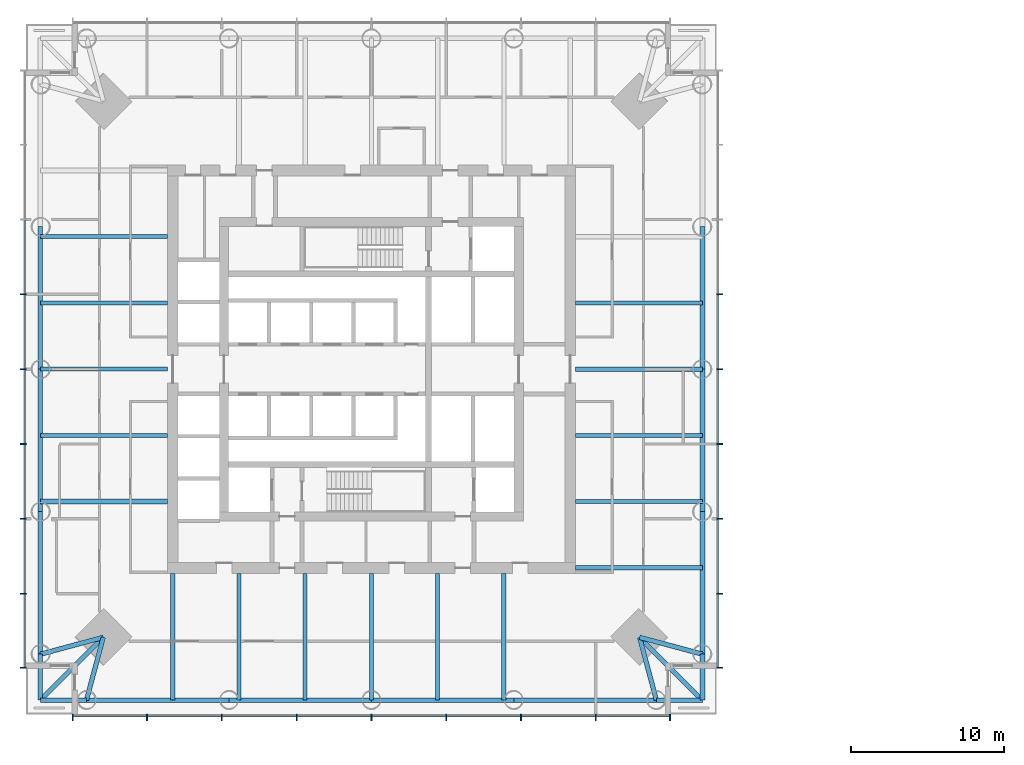
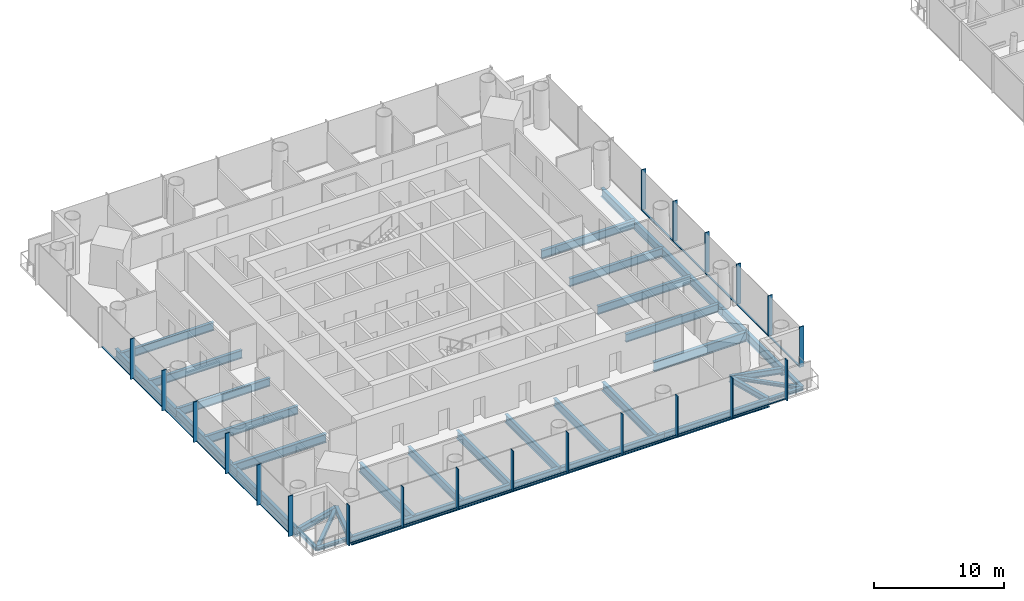
# One storey, part 2 of 18: 40 members, 36 beams, 3 elements without a shape of their own.
"""IFC4 building model written with IfcOpenShell, lengths in metres."""

from ifc_helpers import new_model, si_unit, direction, frame, origin, origin_2d, place, context, subcontext, project, spatial, rectangle, i_section, extrude, material, material_profile, profile_set, type_object, element, aggregate, save


model = new_model("IFC4")

# Units and contexts
model_context = context("Model", 3, precision=1e-05, world=origin(), true_north=direction((0.0, 1.0)))
body_context = subcontext(model_context, "Body", "Model", "MODEL_VIEW")
ifc_project = project(units=[si_unit("LENGTHUNIT", "METRE"), si_unit("AREAUNIT", "SQUARE_METRE"), si_unit("VOLUMEUNIT", "CUBIC_METRE"), si_unit("PLANEANGLEUNIT", "RADIAN"), si_unit("MASSUNIT", "GRAM", prefix="KILO")], contexts=[model_context])

# Site, building, storey
site_placement = place(None, origin())
site = spatial("IfcSite", under=ifc_project, at=site_placement, CompositionType="ELEMENT")
building_placement = place(site_placement, origin())
building = spatial("IfcBuilding", under=site, at=building_placement, Name="Ostroluk Exchange", CompositionType="ELEMENT")
storey_placement = place(building_placement, frame((0.0, 0.0, 97.0)))
storey = spatial("IfcBuildingStorey", under=building, at=storey_placement, Name="L24", CompositionType="ELEMENT", Elevation=97.0)

# Beams
ifc_material_1 = material(Name="Steel S355", Category="steel")
ifc_material_profile_1 = material_profile(ifc_material_1, i_section(OverallWidth=0.300048828125, OverallDepth=0.300048828125, WebThickness=0.010986328125, FlangeThickness=0.01904296875, FilletRadius=0.027099609375, at=origin_2d()), Name="HEB 300")
ifc_profile_set_1 = profile_set([ifc_material_profile_1], Name="Steel S355")
beam_type_1 = type_object("IfcBeamType", Name="Balcony beam HEB 300", PredefinedType="BEAM", material=ifc_profile_set_1)
for number, where, z_axis, x_axis, name in (
    (1, (23.428466796875, 27.428466796875, -0.330078125), (0.0, -1.0, 0.0), (1.0, 0.0, 0.0), "T1 west balcony beam a"),
    (2, (26.428466796875, 24.428466796875, -0.330078125), (-1.0, 0.0, 0.0), (0.0, -1.0, 0.0), "T1 west balcony beam b"),
):
    element("IfcBeam", number, at=place(storey_placement, frame(where, z_axis=z_axis, x_axis=x_axis)), inside=storey, type_object=beam_type_1, Name=name, PredefinedType="BEAM", context=body_context, shape_type="SweptSolid", body=[
        extrude(i_section(OverallWidth=0.300048828125, OverallDepth=0.300048828125, WebThickness=0.010986328125, FlangeThickness=0.01904296875, FilletRadius=0.027099609375, at=origin_2d()), origin(), (0.0, 0.0, 1.0), 3.0),
    ])
beam_1_placement = place(storey_placement, frame((27.528564453125, 28.528564453125, -0.330078125), z_axis=(-0.707106781187, -0.707106781187, 0.0), x_axis=(0.707106781187, -0.707106781187, 0.0)))
element("IfcBeam", 3, at=beam_1_placement, inside=storey, type_object=beam_type_1, Name="T1 west balcony beam c", PredefinedType="BEAM", context=body_context, shape_type="SweptSolid", body=[
    extrude(i_section(OverallWidth=0.300048828125, OverallDepth=0.300048828125, WebThickness=0.010986328125, FlangeThickness=0.01904296875, FilletRadius=0.027099609375, at=origin_2d()), origin(), (0.0, 0.0, 1.0), 5.79833984375),
])
for number, where, z_axis, x_axis, name in (
    (4, (63.571533203125, 24.428466796875, -0.330078125), (1.0, 0.0, 0.0), (0.0, 1.0, 0.0), "T1 south balcony beam a"),
    (5, (66.571533203125, 27.428466796875, -0.330078125), (0.0, -1.0, 0.0), (1.0, 0.0, 0.0), "T1 south balcony beam b"),
):
    element("IfcBeam", number, at=place(storey_placement, frame(where, z_axis=z_axis, x_axis=x_axis)), inside=storey, type_object=beam_type_1, Name=name, PredefinedType="BEAM", context=body_context, shape_type="SweptSolid", body=[
        extrude(i_section(OverallWidth=0.300048828125, OverallDepth=0.300048828125, WebThickness=0.010986328125, FlangeThickness=0.01904296875, FilletRadius=0.027099609375, at=origin_2d()), origin(), (0.0, 0.0, 1.0), 3.0),
    ])
beam_2_placement = place(storey_placement, frame((62.471435546875, 28.528564453125, -0.330078125), z_axis=(0.707106781187, -0.707106781187, 0.0), x_axis=(0.707106781187, 0.707106781187, 0.0)))
element("IfcBeam", 6, at=beam_2_placement, inside=storey, type_object=beam_type_1, Name="T1 south balcony beam c", PredefinedType="BEAM", context=body_context, shape_type="SweptSolid", body=[
    extrude(i_section(OverallWidth=0.300048828125, OverallDepth=0.300048828125, WebThickness=0.010986328125, FlangeThickness=0.01904296875, FilletRadius=0.027099609375, at=origin_2d()), origin(), (0.0, 0.0, 1.0), 5.79833984375),
])
ifc_material_2 = material(Name="Steel S355", Category="steel")
ifc_material_profile_2 = material_profile(ifc_material_2, i_section(OverallWidth=0.300048828125, OverallDepth=0.550048828125, WebThickness=0.014892578125, FlangeThickness=0.029052734375, FilletRadius=0.027099609375, at=origin_2d()), Name="HEB 550")
ifc_profile_set_2 = profile_set([ifc_material_profile_2], Name="Steel S355")
beam_type_2 = type_object("IfcBeamType", Name="Corner edge beam HEB 550", PredefinedType="SPANDREL", material=ifc_profile_set_2)
for number, where, z_axis, x_axis, name in (
    (7, (27.528564453125, 28.528564453125, -0.455078125), (-0.965838624319, -0.259144268261, 0.0), (0.259144268261, -0.965838624319, 0.0), "T1 west corner edge beam a"),
    (8, (27.528564453125, 28.528564453125, -0.455078125), (-0.259144268261, -0.965838624319, 0.0), (0.965838624319, -0.259144268261, 0.0), "T1 west corner edge beam b"),
    (9, (62.471435546875, 28.528564453125, -0.455078125), (0.259144268261, -0.965838624319, 0.0), (0.965838624319, 0.259144268261, 0.0), "T1 south corner edge beam a"),
    (10, (62.471435546875, 28.528564453125, -0.455078125), (0.965838624319, -0.259144268261, 0.0), (0.259144268261, 0.965838624319, 0.0), "T1 south corner edge beam b"),
):
    element("IfcBeam", number, at=place(storey_placement, frame(where, z_axis=z_axis, x_axis=x_axis)), inside=storey, type_object=beam_type_2, Name=name, PredefinedType="SPANDREL", context=body_context, shape_type="SweptSolid", body=[
        extrude(i_section(OverallWidth=0.300048828125, OverallDepth=0.550048828125, WebThickness=0.014892578125, FlangeThickness=0.029052734375, FilletRadius=0.027099609375, at=origin_2d()), origin(), (0.0, 0.0, 1.0), 4.2451171875),
    ])
ifc_material_3 = material(Name="Steel S355", Category="steel")
ifc_material_profile_3 = material_profile(ifc_material_3, i_section(OverallWidth=0.302978515625, OverallDepth=0.81396484375, WebThickness=0.02099609375, FlangeThickness=0.0400390625, FilletRadius=0.030029296875, at=origin_2d()), Name="HEM 800")
ifc_profile_set_3 = profile_set([ifc_material_profile_3], Name="Steel S355")
beam_type_3 = type_object("IfcBeamType", Name="Floor beam HEM 800", PredefinedType="BEAM", material=ifc_profile_set_3)
for number, where, z_axis, x_axis, name in (
    (11, (31.699951171875, 37.3740234375, -0.5869140625), (-1.0, 0.0, 0.0), (0.0, -1.0, 0.0), "T1 west floor beam 5"),
    (12, (53.6259765625, 32.699951171875, -0.5869140625), (0.0, -1.0, 0.0), (1.0, 0.0, 0.0), "T1 south floor beam 5"),
):
    element("IfcBeam", number, at=place(storey_placement, frame(where, z_axis=z_axis, x_axis=x_axis)), inside=storey, type_object=beam_type_3, Name=name, PredefinedType="BEAM", context=body_context, shape_type="SweptSolid", body=[
        extrude(i_section(OverallWidth=0.302978515625, OverallDepth=0.81396484375, WebThickness=0.02099609375, FlangeThickness=0.0400390625, FilletRadius=0.030029296875, at=origin_2d()), origin(), (0.0, 0.0, 1.0), 8.271484375),
    ])
ifc_material_4 = material(Name="Steel S355", Category="steel")
ifc_material_profile_4 = material_profile(ifc_material_4, i_section(OverallWidth=0.26708984375, OverallDepth=0.761962890625, WebThickness=0.014404296875, FlangeThickness=0.021484375, FilletRadius=0.01708984375, at=origin_2d()), Name="IPE 750x173")
ifc_profile_set_4 = profile_set([ifc_material_profile_4], Name="Steel S355")
beam_type_4 = type_object("IfcBeamType", Name="Floor beam IPE 750x173", PredefinedType="BEAM", material=ifc_profile_set_4)
for number, where, z_axis, x_axis, name in (
    (13, (58.300048828125, 37.365234375, -0.56103515625), (1.0, 0.0, 0.0), (0.0, 1.0, 0.0), "T1 east floor beam 1"),
    (14, (58.300048828125, 41.680419921875, -0.56103515625), (1.0, 0.0, 0.0), (0.0, 1.0, 0.0), "T1 east floor beam 2"),
    (15, (58.300048828125, 45.99560546875, -0.56103515625), (1.0, 0.0, 0.0), (0.0, 1.0, 0.0), "T1 east floor beam 3"),
    (16, (58.300048828125, 50.310791015625, -0.56103515625), (1.0, 0.0, 0.0), (0.0, 1.0, 0.0), "T1 east floor beam 4"),
    (17, (31.699951171875, 54.634765625, -0.56103515625), (-1.0, 0.0, 0.0), (0.0, -1.0, 0.0), "T1 west floor beam 1"),
    (18, (31.699951171875, 50.319580078125, -0.56103515625), (-1.0, 0.0, 0.0), (0.0, -1.0, 0.0), "T1 west floor beam 2"),
    (19, (31.699951171875, 46.00439453125, -0.56103515625), (-1.0, 0.0, 0.0), (0.0, -1.0, 0.0), "T1 west floor beam 3"),
    (20, (31.699951171875, 41.689208984375, -0.56103515625), (-1.0, 0.0, 0.0), (0.0, -1.0, 0.0), "T1 west floor beam 4"),
    (21, (36.365234375, 32.699951171875, -0.56103515625), (0.0, -1.0, 0.0), (1.0, 0.0, 0.0), "T1 south floor beam 1"),
    (22, (40.680419921875, 32.699951171875, -0.56103515625), (0.0, -1.0, 0.0), (1.0, 0.0, 0.0), "T1 south floor beam 2"),
    (23, (44.99560546875, 32.699951171875, -0.56103515625), (0.0, -1.0, 0.0), (1.0, 0.0, 0.0), "T1 south floor beam 3"),
    (24, (49.310791015625, 32.699951171875, -0.56103515625), (0.0, -1.0, 0.0), (1.0, 0.0, 0.0), "T1 south floor beam 4"),
):
    element("IfcBeam", number, at=place(storey_placement, frame(where, z_axis=z_axis, x_axis=x_axis)), inside=storey, type_object=beam_type_4, Name=name, PredefinedType="BEAM", context=body_context, shape_type="SweptSolid", body=[
        extrude(i_section(OverallWidth=0.26708984375, OverallDepth=0.761962890625, WebThickness=0.014404296875, FlangeThickness=0.021484375, FilletRadius=0.01708984375, at=origin_2d()), origin(), (0.0, 0.0, 1.0), 8.271484375),
    ])
ifc_material_5 = material(Name="Steel S355", Category="steel")
ifc_material_profile_5 = material_profile(ifc_material_5, i_section(OverallWidth=0.300048828125, OverallDepth=0.89990234375, WebThickness=0.0185546875, FlangeThickness=0.034912109375, FilletRadius=0.030029296875, at=origin_2d()), Name="HEB 900")
ifc_profile_set_5 = profile_set([ifc_material_profile_5], Name="Steel S355")
beam_type_5 = type_object("IfcBeamType", Name="Girder HEB 900", PredefinedType="BEAM", material=ifc_profile_set_5)
for number, where, z_axis, x_axis, name in (
    (25, (32.050048828125, 32.699951171875, -0.6298828125), (0.0, -1.0, 0.0), (1.0, 0.0, 0.0), "T1 west girder"),
    (26, (58.300048828125, 33.050048828125, -0.6298828125), (1.0, 0.0, 0.0), (0.0, 1.0, 0.0), "T1 south girder"),
):
    element("IfcBeam", number, at=place(storey_placement, frame(where, z_axis=z_axis, x_axis=x_axis)), inside=storey, type_object=beam_type_5, Name=name, PredefinedType="BEAM", context=body_context, shape_type="SweptSolid", body=[
        extrude(i_section(OverallWidth=0.300048828125, OverallDepth=0.89990234375, WebThickness=0.0185546875, FlangeThickness=0.034912109375, FilletRadius=0.030029296875, at=origin_2d()), origin(), (0.0, 0.0, 1.0), 8.271484375),
    ])
ifc_material_6 = material(Name="Steel S355", Category="steel")
ifc_material_profile_6 = material_profile(ifc_material_6, i_section(OverallWidth=0.300048828125, OverallDepth=0.800048828125, WebThickness=0.017578125, FlangeThickness=0.032958984375, FilletRadius=0.030029296875, at=origin_2d()), Name="HEB 800")
ifc_profile_set_6 = profile_set([ifc_material_profile_6], Name="Steel S355")
beam_type_6 = type_object("IfcBeamType", Name="Moment-connected edge beam HEB 800", PredefinedType="SPANDREL", material=ifc_profile_set_6)
beam_3_placement = place(storey_placement, frame((66.571533203125, 27.428466796875, -0.580078125), z_axis=(0.0, 1.0, 0.0), x_axis=(-1.0, 0.0, 0.0)))
element("IfcBeam", 27, at=beam_3_placement, inside=storey, type_object=beam_type_6, Name="T1 east edge beam 1", PredefinedType="SPANDREL", context=body_context, shape_type="SweptSolid", body=[
    extrude(i_section(OverallWidth=0.300048828125, OverallDepth=0.800048828125, WebThickness=0.017578125, FlangeThickness=0.032958984375, FilletRadius=0.030029296875, at=origin_2d()), origin(), (0.0, 0.0, 1.0), 9.285888671875),
])
for number, where, z_axis, x_axis, name in (
    (28, (66.571533203125, 36.71435546875, -0.580078125), (0.0, 1.0, 0.0), (-1.0, 0.0, 0.0), "T1 east edge beam 2"),
    (29, (66.571533203125, 46.0, -0.580078125), (0.0, 1.0, 0.0), (-1.0, 0.0, 0.0), "T1 east edge beam 3"),
    (30, (23.428466796875, 55.28564453125, -0.580078125), (0.0, -1.0, 0.0), (1.0, 0.0, 0.0), "T1 west edge beam 2"),
    (31, (23.428466796875, 46.0, -0.580078125), (0.0, -1.0, 0.0), (1.0, 0.0, 0.0), "T1 west edge beam 3"),
):
    element("IfcBeam", number, at=place(storey_placement, frame(where, z_axis=z_axis, x_axis=x_axis)), inside=storey, type_object=beam_type_6, Name=name, PredefinedType="SPANDREL", context=body_context, shape_type="SweptSolid", body=[
        extrude(i_section(OverallWidth=0.300048828125, OverallDepth=0.800048828125, WebThickness=0.017578125, FlangeThickness=0.032958984375, FilletRadius=0.030029296875, at=origin_2d()), origin(), (0.0, 0.0, 1.0), 9.28564453125),
    ])
for number, where, z_axis, x_axis, name in (
    (32, (23.428466796875, 36.71435546875, -0.580078125), (0.0, -1.0, 0.0), (1.0, 0.0, 0.0), "T1 west edge beam 4"),
    (33, (26.428466796875, 24.428466796875, -0.580078125), (1.0, 0.0, 0.0), (0.0, 1.0, 0.0), "T1 south edge beam 1"),
):
    element("IfcBeam", number, at=place(storey_placement, frame(where, z_axis=z_axis, x_axis=x_axis)), inside=storey, type_object=beam_type_6, Name=name, PredefinedType="SPANDREL", context=body_context, shape_type="SweptSolid", body=[
        extrude(i_section(OverallWidth=0.300048828125, OverallDepth=0.800048828125, WebThickness=0.017578125, FlangeThickness=0.032958984375, FilletRadius=0.030029296875, at=origin_2d()), origin(), (0.0, 0.0, 1.0), 9.285888671875),
    ])
for number, where, z_axis, x_axis, name in (
    (34, (35.71435546875, 24.428466796875, -0.580078125), (1.0, 0.0, 0.0), (0.0, 1.0, 0.0), "T1 south edge beam 2"),
    (35, (45.0, 24.428466796875, -0.580078125), (1.0, 0.0, 0.0), (0.0, 1.0, 0.0), "T1 south edge beam 3"),
):
    element("IfcBeam", number, at=place(storey_placement, frame(where, z_axis=z_axis, x_axis=x_axis)), inside=storey, type_object=beam_type_6, Name=name, PredefinedType="SPANDREL", context=body_context, shape_type="SweptSolid", body=[
        extrude(i_section(OverallWidth=0.300048828125, OverallDepth=0.800048828125, WebThickness=0.017578125, FlangeThickness=0.032958984375, FilletRadius=0.030029296875, at=origin_2d()), origin(), (0.0, 0.0, 1.0), 9.28564453125),
    ])
beam_4_placement = place(storey_placement, frame((54.28564453125, 24.428466796875, -0.580078125), z_axis=(1.0, 0.0, 0.0), x_axis=(0.0, 1.0, 0.0)))
element("IfcBeam", 36, at=beam_4_placement, inside=storey, type_object=beam_type_6, Name="T1 south edge beam 4", PredefinedType="SPANDREL", context=body_context, shape_type="SweptSolid", body=[
    extrude(i_section(OverallWidth=0.300048828125, OverallDepth=0.800048828125, WebThickness=0.017578125, FlangeThickness=0.032958984375, FilletRadius=0.030029296875, at=origin_2d()), origin(), (0.0, 0.0, 1.0), 9.285888671875),
])

# Curtain wall, members
ifc_material_7 = material(Name="Laminated clear glass", Category="glass")
curtain_wall_type = type_object("IfcCurtainWallType", Name="Office tower facade", PredefinedType="USERDEFINED", material=ifc_material_7)
curtain_wall_1_placement = place(storey_placement, origin())
curtain_wall_1 = element("IfcCurtainWall", 37, at=curtain_wall_1_placement, inside=storey, type_object=curtain_wall_type, Name="Office tower south facade L24", ObjectType="UNITISED CURTAIN WALL", PredefinedType="USERDEFINED")
ifc_material_8 = material(Name="Aluminium mullion", Category="aluminium")
ifc_material_profile_7 = material_profile(ifc_material_8, rectangle(XDim=0.14990234375, YDim=0.080078125, at=origin_2d()), Name="Sill transom 80 x 150")
ifc_profile_set_7 = profile_set([ifc_material_profile_7], Name="Aluminium mullion")
member_type_1 = type_object("IfcMemberType", Name="Sill transom 80 x 150", PredefinedType="USERDEFINED", material=ifc_profile_set_7)
member_1_placement = place(storey_placement, frame((25.580078125, 23.425048828125, 0.0400390625), z_axis=(1.0, 0.0, 0.0), x_axis=(0.0, 1.0, 0.0)))
member_1 = element("IfcMember", 38, at=member_1_placement, type_object=member_type_1, Name="CW-O1 transom 1.1", ObjectType="TRANSOM", PredefinedType="USERDEFINED", context=body_context, shape_type="SweptSolid", body=[
    extrude(rectangle(XDim=0.14990234375, YDim=0.080078125, at=origin_2d()), origin(), (0.0, 0.0, 1.0), 4.7548828125),
])
member_2_placement = place(storey_placement, frame((30.4150390625, 23.425048828125, 0.0400390625), z_axis=(1.0, 0.0, 0.0), x_axis=(0.0, 1.0, 0.0)))
member_2 = element("IfcMember", 39, at=member_2_placement, type_object=member_type_1, Name="CW-O1 transom 2.1", ObjectType="TRANSOM", PredefinedType="USERDEFINED", context=body_context, shape_type="SweptSolid", body=[
    extrude(rectangle(XDim=0.14990234375, YDim=0.080078125, at=origin_2d()), origin(), (0.0, 0.0, 1.0), 4.794921875),
])
member_3_placement = place(storey_placement, frame((35.2900390625, 23.425048828125, 0.0400390625), z_axis=(1.0, 0.0, 0.0), x_axis=(0.0, 1.0, 0.0)))
member_3 = element("IfcMember", 40, at=member_3_placement, type_object=member_type_1, Name="CW-O1 transom 3.1", ObjectType="TRANSOM", PredefinedType="USERDEFINED", context=body_context, shape_type="SweptSolid", body=[
    extrude(rectangle(XDim=0.14990234375, YDim=0.080078125, at=origin_2d()), origin(), (0.0, 0.0, 1.0), 4.794921875),
])
member_4_placement = place(storey_placement, frame((40.1650390625, 23.425048828125, 0.0400390625), z_axis=(1.0, 0.0, 0.0), x_axis=(0.0, 1.0, 0.0)))
member_4 = element("IfcMember", 41, at=member_4_placement, type_object=member_type_1, Name="CW-O1 transom 4.1", ObjectType="TRANSOM", PredefinedType="USERDEFINED", context=body_context, shape_type="SweptSolid", body=[
    extrude(rectangle(XDim=0.14990234375, YDim=0.080078125, at=origin_2d()), origin(), (0.0, 0.0, 1.0), 4.794921875),
])
member_5_placement = place(storey_placement, frame((45.0400390625, 23.425048828125, 0.0400390625), z_axis=(1.0, 0.0, 0.0), x_axis=(0.0, 1.0, 0.0)))
member_5 = element("IfcMember", 42, at=member_5_placement, type_object=member_type_1, Name="CW-O1 transom 5.1", ObjectType="TRANSOM", PredefinedType="USERDEFINED", context=body_context, shape_type="SweptSolid", body=[
    extrude(rectangle(XDim=0.14990234375, YDim=0.080078125, at=origin_2d()), origin(), (0.0, 0.0, 1.0), 4.794921875),
])
member_6_placement = place(storey_placement, frame((49.9150390625, 23.425048828125, 0.0400390625), z_axis=(1.0, 0.0, 0.0), x_axis=(0.0, 1.0, 0.0)))
member_6 = element("IfcMember", 43, at=member_6_placement, type_object=member_type_1, Name="CW-O1 transom 6.1", ObjectType="TRANSOM", PredefinedType="USERDEFINED", context=body_context, shape_type="SweptSolid", body=[
    extrude(rectangle(XDim=0.14990234375, YDim=0.080078125, at=origin_2d()), origin(), (0.0, 0.0, 1.0), 4.794921875),
])
member_7_placement = place(storey_placement, frame((54.7900390625, 23.425048828125, 0.0400390625), z_axis=(1.0, 0.0, 0.0), x_axis=(0.0, 1.0, 0.0)))
member_7 = element("IfcMember", 44, at=member_7_placement, type_object=member_type_1, Name="CW-O1 transom 7.1", ObjectType="TRANSOM", PredefinedType="USERDEFINED", context=body_context, shape_type="SweptSolid", body=[
    extrude(rectangle(XDim=0.14990234375, YDim=0.080078125, at=origin_2d()), origin(), (0.0, 0.0, 1.0), 4.794921875),
])
member_8_placement = place(storey_placement, frame((59.6650390625, 23.425048828125, 0.0400390625), z_axis=(1.0, 0.0, 0.0), x_axis=(0.0, 1.0, 0.0)))
member_8 = element("IfcMember", 45, at=member_8_placement, type_object=member_type_1, Name="CW-O1 transom 8.1", ObjectType="TRANSOM", PredefinedType="USERDEFINED", context=body_context, shape_type="SweptSolid", body=[
    extrude(rectangle(XDim=0.14990234375, YDim=0.080078125, at=origin_2d()), origin(), (0.0, 0.0, 1.0), 4.7548828125),
])

curtain_wall_2_placement = place(storey_placement, origin())
curtain_wall_2 = element("IfcCurtainWall", 46, at=curtain_wall_2_placement, inside=storey, type_object=curtain_wall_type, Name="Office tower east facade L24", ObjectType="UNITISED CURTAIN WALL", PredefinedType="USERDEFINED")
member_9_placement = place(storey_placement, frame((67.574951171875, 26.580078125, 0.0400390625), z_axis=(0.0, 1.0, 0.0), x_axis=(-1.0, 0.0, 0.0)))
member_9 = element("IfcMember", 47, at=member_9_placement, type_object=member_type_1, Name="CW-O1 transom 1.1", ObjectType="TRANSOM", PredefinedType="USERDEFINED", context=body_context, shape_type="SweptSolid", body=[
    extrude(rectangle(XDim=0.14990234375, YDim=0.080078125, at=origin_2d()), origin(), (0.0, 0.0, 1.0), 4.7548828125),
])
member_10_placement = place(storey_placement, frame((67.574951171875, 31.4150390625, 0.0400390625), z_axis=(0.0, 1.0, 0.0), x_axis=(-1.0, 0.0, 0.0)))
member_10 = element("IfcMember", 48, at=member_10_placement, type_object=member_type_1, Name="CW-O1 transom 2.1", ObjectType="TRANSOM", PredefinedType="USERDEFINED", context=body_context, shape_type="SweptSolid", body=[
    extrude(rectangle(XDim=0.14990234375, YDim=0.080078125, at=origin_2d()), origin(), (0.0, 0.0, 1.0), 4.794921875),
])
member_11_placement = place(storey_placement, frame((67.574951171875, 36.2900390625, 0.0400390625), z_axis=(0.0, 1.0, 0.0), x_axis=(-1.0, 0.0, 0.0)))
member_11 = element("IfcMember", 49, at=member_11_placement, type_object=member_type_1, Name="CW-O1 transom 3.1", ObjectType="TRANSOM", PredefinedType="USERDEFINED", context=body_context, shape_type="SweptSolid", body=[
    extrude(rectangle(XDim=0.14990234375, YDim=0.080078125, at=origin_2d()), origin(), (0.0, 0.0, 1.0), 4.794921875),
])
member_12_placement = place(storey_placement, frame((67.574951171875, 41.1650390625, 0.0400390625), z_axis=(0.0, 1.0, 0.0), x_axis=(-1.0, 0.0, 0.0)))
member_12 = element("IfcMember", 50, at=member_12_placement, type_object=member_type_1, Name="CW-O1 transom 4.1", ObjectType="TRANSOM", PredefinedType="USERDEFINED", context=body_context, shape_type="SweptSolid", body=[
    extrude(rectangle(XDim=0.14990234375, YDim=0.080078125, at=origin_2d()), origin(), (0.0, 0.0, 1.0), 4.794921875),
])
member_13_placement = place(storey_placement, frame((67.574951171875, 46.0400390625, 0.0400390625), z_axis=(0.0, 1.0, 0.0), x_axis=(-1.0, 0.0, 0.0)))
member_13 = element("IfcMember", 51, at=member_13_placement, type_object=member_type_1, Name="CW-O1 transom 5.1", ObjectType="TRANSOM", PredefinedType="USERDEFINED", context=body_context, shape_type="SweptSolid", body=[
    extrude(rectangle(XDim=0.14990234375, YDim=0.080078125, at=origin_2d()), origin(), (0.0, 0.0, 1.0), 4.794921875),
])

curtain_wall_3_placement = place(storey_placement, origin())
curtain_wall_3 = element("IfcCurtainWall", 52, at=curtain_wall_3_placement, inside=storey, type_object=curtain_wall_type, Name="Office tower west facade L24", ObjectType="UNITISED CURTAIN WALL", PredefinedType="USERDEFINED")
member_14_placement = place(storey_placement, frame((22.425048828125, 55.7099609375, 0.0400390625), z_axis=(0.0, -1.0, 0.0), x_axis=(1.0, 0.0, 0.0)))
member_14 = element("IfcMember", 53, at=member_14_placement, type_object=member_type_1, Name="CW-O1 transom 3.1", ObjectType="TRANSOM", PredefinedType="USERDEFINED", context=body_context, shape_type="SweptSolid", body=[
    extrude(rectangle(XDim=0.14990234375, YDim=0.080078125, at=origin_2d()), origin(), (0.0, 0.0, 1.0), 4.794921875),
])
member_15_placement = place(storey_placement, frame((22.425048828125, 50.8349609375, 0.0400390625), z_axis=(0.0, -1.0, 0.0), x_axis=(1.0, 0.0, 0.0)))
member_15 = element("IfcMember", 54, at=member_15_placement, type_object=member_type_1, Name="CW-O1 transom 4.1", ObjectType="TRANSOM", PredefinedType="USERDEFINED", context=body_context, shape_type="SweptSolid", body=[
    extrude(rectangle(XDim=0.14990234375, YDim=0.080078125, at=origin_2d()), origin(), (0.0, 0.0, 1.0), 4.794921875),
])
member_16_placement = place(storey_placement, frame((22.425048828125, 45.9599609375, 0.0400390625), z_axis=(0.0, -1.0, 0.0), x_axis=(1.0, 0.0, 0.0)))
member_16 = element("IfcMember", 55, at=member_16_placement, type_object=member_type_1, Name="CW-O1 transom 5.1", ObjectType="TRANSOM", PredefinedType="USERDEFINED", context=body_context, shape_type="SweptSolid", body=[
    extrude(rectangle(XDim=0.14990234375, YDim=0.080078125, at=origin_2d()), origin(), (0.0, 0.0, 1.0), 4.794921875),
])
member_17_placement = place(storey_placement, frame((22.425048828125, 41.0849609375, 0.0400390625), z_axis=(0.0, -1.0, 0.0), x_axis=(1.0, 0.0, 0.0)))
member_17 = element("IfcMember", 56, at=member_17_placement, type_object=member_type_1, Name="CW-O1 transom 6.1", ObjectType="TRANSOM", PredefinedType="USERDEFINED", context=body_context, shape_type="SweptSolid", body=[
    extrude(rectangle(XDim=0.14990234375, YDim=0.080078125, at=origin_2d()), origin(), (0.0, 0.0, 1.0), 4.794921875),
])
member_18_placement = place(storey_placement, frame((22.425048828125, 36.2099609375, 0.0400390625), z_axis=(0.0, -1.0, 0.0), x_axis=(1.0, 0.0, 0.0)))
member_18 = element("IfcMember", 57, at=member_18_placement, type_object=member_type_1, Name="CW-O1 transom 7.1", ObjectType="TRANSOM", PredefinedType="USERDEFINED", context=body_context, shape_type="SweptSolid", body=[
    extrude(rectangle(XDim=0.14990234375, YDim=0.080078125, at=origin_2d()), origin(), (0.0, 0.0, 1.0), 4.794921875),
])
member_19_placement = place(storey_placement, frame((22.425048828125, 31.3349609375, 0.0400390625), z_axis=(0.0, -1.0, 0.0), x_axis=(1.0, 0.0, 0.0)))
member_19 = element("IfcMember", 58, at=member_19_placement, type_object=member_type_1, Name="CW-O1 transom 8.1", ObjectType="TRANSOM", PredefinedType="USERDEFINED", context=body_context, shape_type="SweptSolid", body=[
    extrude(rectangle(XDim=0.14990234375, YDim=0.080078125, at=origin_2d()), origin(), (0.0, 0.0, 1.0), 4.7548828125),
])

# Member
ifc_material_9 = material(Name="Aluminium mullion with limestone facing", Category="masonry")
ifc_material_profile_8 = material_profile(ifc_material_9, rectangle(XDim=0.39990234375, YDim=0.080078125, at=origin_2d()), Name="Tracery mullion 80 x 400")
ifc_profile_set_8 = profile_set([ifc_material_profile_8], Name="Aluminium mullion with limestone facing")
member_type_2 = type_object("IfcMemberType", Name="Tracery mullion 80 x 400", PredefinedType="MULLION", material=ifc_profile_set_8)
member_20_placement = place(storey_placement, frame((25.5400390625, 23.300048828125, 0.0), z_axis=(0.0, 0.0, 1.0), x_axis=(0.0, 1.0, 0.0)))
member_20 = element("IfcMember", 59, at=member_20_placement, type_object=member_type_2, Name="CW-O1 mullion 1", PredefinedType="MULLION", context=body_context, shape_type="SweptSolid", body=[
    extrude(rectangle(XDim=0.39990234375, YDim=0.080078125, at=origin_2d()), origin(), (0.0, 0.0, 1.0), 3.800048828125),
])

member_21_placement = place(storey_placement, frame((30.375, 23.300048828125, 0.0), z_axis=(0.0, 0.0, 1.0), x_axis=(0.0, 1.0, 0.0)))
member_21 = element("IfcMember", 60, at=member_21_placement, type_object=member_type_2, Name="CW-O1 mullion 2", PredefinedType="MULLION", context=body_context, shape_type="SweptSolid", body=[
    extrude(rectangle(XDim=0.39990234375, YDim=0.080078125, at=origin_2d()), origin(), (0.0, 0.0, 1.0), 3.800048828125),
])

member_22_placement = place(storey_placement, frame((35.25, 23.300048828125, 0.0), z_axis=(0.0, 0.0, 1.0), x_axis=(0.0, 1.0, 0.0)))
member_22 = element("IfcMember", 61, at=member_22_placement, type_object=member_type_2, Name="CW-O1 mullion 3", PredefinedType="MULLION", context=body_context, shape_type="SweptSolid", body=[
    extrude(rectangle(XDim=0.39990234375, YDim=0.080078125, at=origin_2d()), origin(), (0.0, 0.0, 1.0), 3.800048828125),
])

member_23_placement = place(storey_placement, frame((40.125, 23.300048828125, 0.0), z_axis=(0.0, 0.0, 1.0), x_axis=(0.0, 1.0, 0.0)))
member_23 = element("IfcMember", 62, at=member_23_placement, type_object=member_type_2, Name="CW-O1 mullion 4", PredefinedType="MULLION", context=body_context, shape_type="SweptSolid", body=[
    extrude(rectangle(XDim=0.39990234375, YDim=0.080078125, at=origin_2d()), origin(), (0.0, 0.0, 1.0), 3.800048828125),
])

member_24_placement = place(storey_placement, frame((45.0, 23.300048828125, 0.0), z_axis=(0.0, 0.0, 1.0), x_axis=(0.0, 1.0, 0.0)))
member_24 = element("IfcMember", 63, at=member_24_placement, type_object=member_type_2, Name="CW-O1 mullion 5", PredefinedType="MULLION", context=body_context, shape_type="SweptSolid", body=[
    extrude(rectangle(XDim=0.39990234375, YDim=0.080078125, at=origin_2d()), origin(), (0.0, 0.0, 1.0), 3.800048828125),
])

member_25_placement = place(storey_placement, frame((49.875, 23.300048828125, 0.0), z_axis=(0.0, 0.0, 1.0), x_axis=(0.0, 1.0, 0.0)))
member_25 = element("IfcMember", 64, at=member_25_placement, type_object=member_type_2, Name="CW-O1 mullion 6", PredefinedType="MULLION", context=body_context, shape_type="SweptSolid", body=[
    extrude(rectangle(XDim=0.39990234375, YDim=0.080078125, at=origin_2d()), origin(), (0.0, 0.0, 1.0), 3.800048828125),
])

member_26_placement = place(storey_placement, frame((54.75, 23.300048828125, 0.0), z_axis=(0.0, 0.0, 1.0), x_axis=(0.0, 1.0, 0.0)))
member_26 = element("IfcMember", 65, at=member_26_placement, type_object=member_type_2, Name="CW-O1 mullion 7", PredefinedType="MULLION", context=body_context, shape_type="SweptSolid", body=[
    extrude(rectangle(XDim=0.39990234375, YDim=0.080078125, at=origin_2d()), origin(), (0.0, 0.0, 1.0), 3.800048828125),
])

member_27_placement = place(storey_placement, frame((59.625, 23.300048828125, 0.0), z_axis=(0.0, 0.0, 1.0), x_axis=(0.0, 1.0, 0.0)))
member_27 = element("IfcMember", 66, at=member_27_placement, type_object=member_type_2, Name="CW-O1 mullion 8", PredefinedType="MULLION", context=body_context, shape_type="SweptSolid", body=[
    extrude(rectangle(XDim=0.39990234375, YDim=0.080078125, at=origin_2d()), origin(), (0.0, 0.0, 1.0), 3.800048828125),
])

member_28_placement = place(storey_placement, frame((64.4599609375, 23.300048828125, 0.0), z_axis=(0.0, 0.0, 1.0), x_axis=(0.0, 1.0, 0.0)))
member_28 = element("IfcMember", 67, at=member_28_placement, type_object=member_type_2, Name="CW-O1 mullion 9", PredefinedType="MULLION", context=body_context, shape_type="SweptSolid", body=[
    extrude(rectangle(XDim=0.39990234375, YDim=0.080078125, at=origin_2d()), origin(), (0.0, 0.0, 1.0), 3.800048828125),
])

aggregate(curtain_wall_1, [member_20, member_21, member_22, member_23, member_24, member_25, member_26, member_27, member_28, member_1, member_2, member_3, member_4, member_5, member_6, member_7, member_8])

member_29_placement = place(storey_placement, frame((67.699951171875, 26.5400390625, 0.0), z_axis=(0.0, 0.0, 1.0), x_axis=(-1.0, 0.0, 0.0)))
member_29 = element("IfcMember", 68, at=member_29_placement, type_object=member_type_2, Name="CW-O1 mullion 1", PredefinedType="MULLION", context=body_context, shape_type="SweptSolid", body=[
    extrude(rectangle(XDim=0.39990234375, YDim=0.080078125, at=origin_2d()), origin(), (0.0, 0.0, 1.0), 3.800048828125),
])

member_30_placement = place(storey_placement, frame((67.699951171875, 31.375, 0.0), z_axis=(0.0, 0.0, 1.0), x_axis=(-1.0, 0.0, 0.0)))
member_30 = element("IfcMember", 69, at=member_30_placement, type_object=member_type_2, Name="CW-O1 mullion 2", PredefinedType="MULLION", context=body_context, shape_type="SweptSolid", body=[
    extrude(rectangle(XDim=0.39990234375, YDim=0.080078125, at=origin_2d()), origin(), (0.0, 0.0, 1.0), 3.800048828125),
])

member_31_placement = place(storey_placement, frame((67.699951171875, 36.25, 0.0), z_axis=(0.0, 0.0, 1.0), x_axis=(-1.0, 0.0, 0.0)))
member_31 = element("IfcMember", 70, at=member_31_placement, type_object=member_type_2, Name="CW-O1 mullion 3", PredefinedType="MULLION", context=body_context, shape_type="SweptSolid", body=[
    extrude(rectangle(XDim=0.39990234375, YDim=0.080078125, at=origin_2d()), origin(), (0.0, 0.0, 1.0), 3.800048828125),
])

member_32_placement = place(storey_placement, frame((67.699951171875, 41.125, 0.0), z_axis=(0.0, 0.0, 1.0), x_axis=(-1.0, 0.0, 0.0)))
member_32 = element("IfcMember", 71, at=member_32_placement, type_object=member_type_2, Name="CW-O1 mullion 4", PredefinedType="MULLION", context=body_context, shape_type="SweptSolid", body=[
    extrude(rectangle(XDim=0.39990234375, YDim=0.080078125, at=origin_2d()), origin(), (0.0, 0.0, 1.0), 3.800048828125),
])

member_33_placement = place(storey_placement, frame((67.699951171875, 46.0, 0.0), z_axis=(0.0, 0.0, 1.0), x_axis=(-1.0, 0.0, 0.0)))
member_33 = element("IfcMember", 72, at=member_33_placement, type_object=member_type_2, Name="CW-O1 mullion 5", PredefinedType="MULLION", context=body_context, shape_type="SweptSolid", body=[
    extrude(rectangle(XDim=0.39990234375, YDim=0.080078125, at=origin_2d()), origin(), (0.0, 0.0, 1.0), 3.800048828125),
])

member_34_placement = place(storey_placement, frame((67.699951171875, 50.875, 0.0), z_axis=(0.0, 0.0, 1.0), x_axis=(-1.0, 0.0, 0.0)))
member_34 = element("IfcMember", 73, at=member_34_placement, type_object=member_type_2, Name="CW-O1 mullion 6", PredefinedType="MULLION", context=body_context, shape_type="SweptSolid", body=[
    extrude(rectangle(XDim=0.39990234375, YDim=0.080078125, at=origin_2d()), origin(), (0.0, 0.0, 1.0), 3.800048828125),
])

aggregate(curtain_wall_2, [member_29, member_30, member_31, member_32, member_33, member_34, member_9, member_10, member_11, member_12, member_13])

member_35_placement = place(storey_placement, frame((22.300048828125, 50.875, 0.0), z_axis=(0.0, 0.0, 1.0), x_axis=(1.0, 0.0, 0.0)))
member_35 = element("IfcMember", 74, at=member_35_placement, type_object=member_type_2, Name="CW-O1 mullion 4", PredefinedType="MULLION", context=body_context, shape_type="SweptSolid", body=[
    extrude(rectangle(XDim=0.39990234375, YDim=0.080078125, at=origin_2d()), origin(), (0.0, 0.0, 1.0), 3.800048828125),
])

member_36_placement = place(storey_placement, frame((22.300048828125, 46.0, 0.0), z_axis=(0.0, 0.0, 1.0), x_axis=(1.0, 0.0, 0.0)))
member_36 = element("IfcMember", 75, at=member_36_placement, type_object=member_type_2, Name="CW-O1 mullion 5", PredefinedType="MULLION", context=body_context, shape_type="SweptSolid", body=[
    extrude(rectangle(XDim=0.39990234375, YDim=0.080078125, at=origin_2d()), origin(), (0.0, 0.0, 1.0), 3.800048828125),
])

member_37_placement = place(storey_placement, frame((22.300048828125, 41.125, 0.0), z_axis=(0.0, 0.0, 1.0), x_axis=(1.0, 0.0, 0.0)))
member_37 = element("IfcMember", 76, at=member_37_placement, type_object=member_type_2, Name="CW-O1 mullion 6", PredefinedType="MULLION", context=body_context, shape_type="SweptSolid", body=[
    extrude(rectangle(XDim=0.39990234375, YDim=0.080078125, at=origin_2d()), origin(), (0.0, 0.0, 1.0), 3.800048828125),
])

member_38_placement = place(storey_placement, frame((22.300048828125, 36.25, 0.0), z_axis=(0.0, 0.0, 1.0), x_axis=(1.0, 0.0, 0.0)))
member_38 = element("IfcMember", 77, at=member_38_placement, type_object=member_type_2, Name="CW-O1 mullion 7", PredefinedType="MULLION", context=body_context, shape_type="SweptSolid", body=[
    extrude(rectangle(XDim=0.39990234375, YDim=0.080078125, at=origin_2d()), origin(), (0.0, 0.0, 1.0), 3.800048828125),
])

member_39_placement = place(storey_placement, frame((22.300048828125, 31.375, 0.0), z_axis=(0.0, 0.0, 1.0), x_axis=(1.0, 0.0, 0.0)))
member_39 = element("IfcMember", 78, at=member_39_placement, type_object=member_type_2, Name="CW-O1 mullion 8", PredefinedType="MULLION", context=body_context, shape_type="SweptSolid", body=[
    extrude(rectangle(XDim=0.39990234375, YDim=0.080078125, at=origin_2d()), origin(), (0.0, 0.0, 1.0), 3.800048828125),
])

member_40_placement = place(storey_placement, frame((22.300048828125, 26.5400390625, 0.0), z_axis=(0.0, 0.0, 1.0), x_axis=(1.0, 0.0, 0.0)))
member_40 = element("IfcMember", 79, at=member_40_placement, type_object=member_type_2, Name="CW-O1 mullion 9", PredefinedType="MULLION", context=body_context, shape_type="SweptSolid", body=[
    extrude(rectangle(XDim=0.39990234375, YDim=0.080078125, at=origin_2d()), origin(), (0.0, 0.0, 1.0), 3.800048828125),
])

aggregate(curtain_wall_3, [member_35, member_36, member_37, member_38, member_39, member_40, member_14, member_15, member_16, member_17, member_18, member_19])

save(model, "model.ifc")
